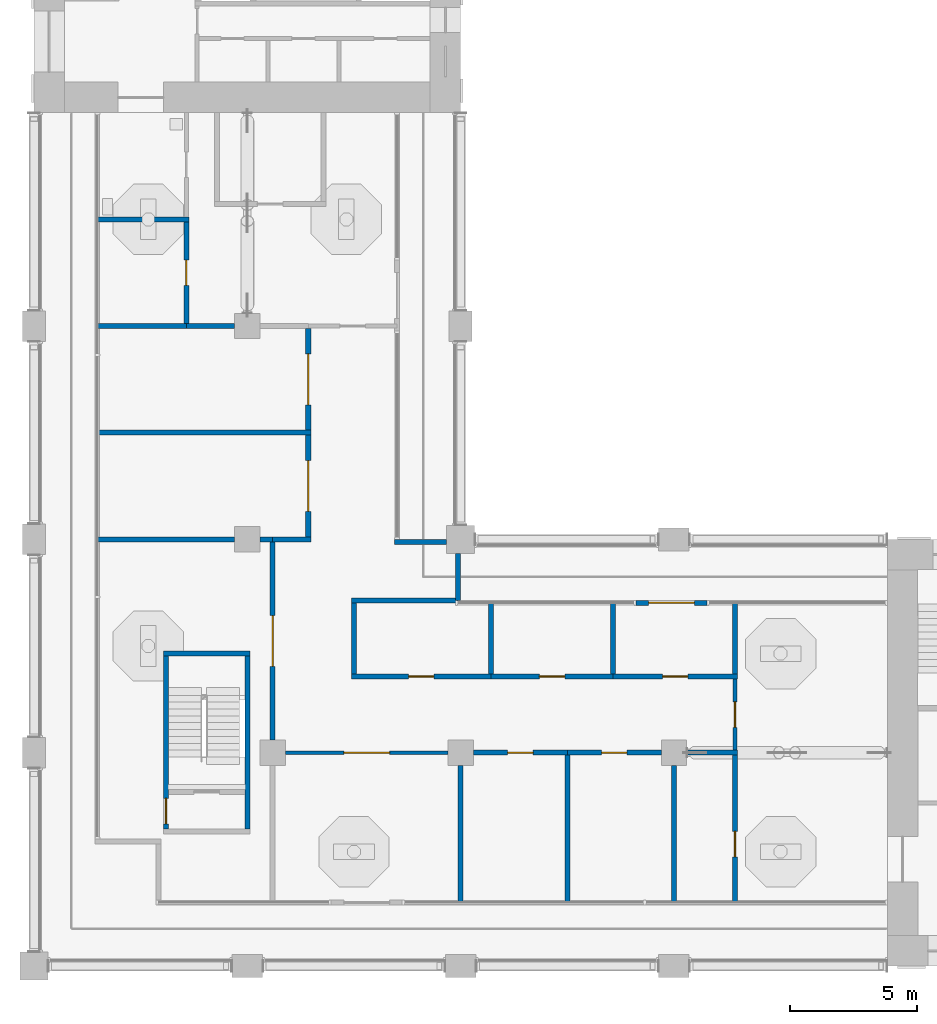
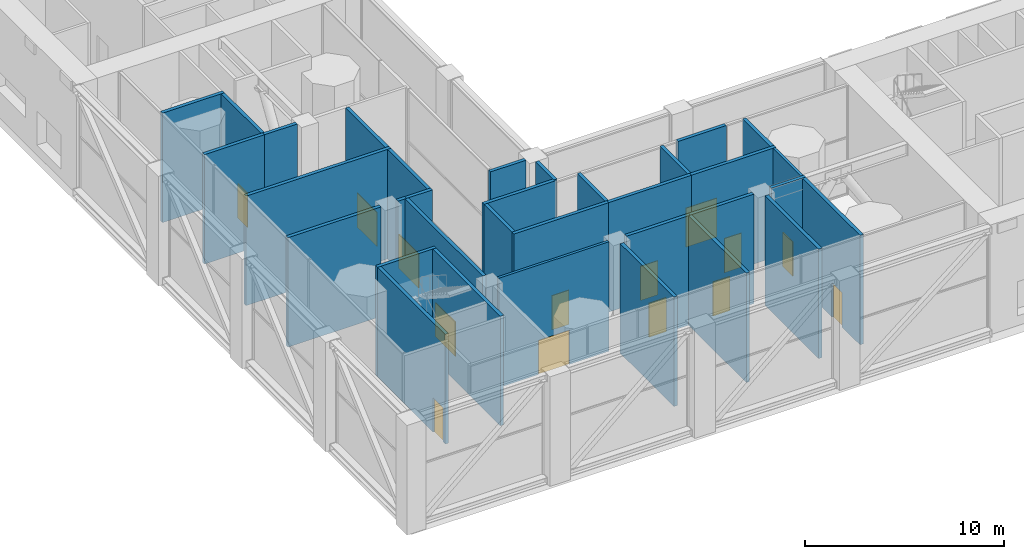
# One storey, part 7 of 20: 34 walls, 14 doors, 14 openings.
"""IFC4 building model written with IfcOpenShell, lengths in metres."""

import ifcopenshell
import ifcopenshell.guid

model = None  # the IFC model being written
_history = None  # IfcOwnerHistory: only IFC2X3 demands one
_inside = {}  # id of a spatial element -> (the spatial element, [elements in it])
_under = {}  # id of a project, library or spatial element -> (it, [spatial elements below it])
_declared = {}  # id of a project -> (the project, [libraries it declares])
_typed = {}  # id of a type object -> (the type object, [elements of that type])
_made_of = {}  # id of a material, layer set ... -> (it, [elements and type objects made of it])


def new_model(schema):
    """Start an empty IFC model of exactly this schema.

    Asked for "IFC4X3", IfcOpenShell would pick the latest addendum, in which some entities
    have other attributes; the version numbers below select the first issue.
    IFC2X3 requires an IfcOwnerHistory on every rooted entity: one is made here for all.
    """
    global model, _history
    if schema == "IFC4X3":
        model = ifcopenshell.file(schema_version=(4, 3, 0, 0))
    else:
        model = ifcopenshell.file(schema=schema)
    _inside.clear()
    _under.clear()
    _declared.clear()
    _typed.clear()
    _made_of.clear()
    _history = None
    if model.schema == "IFC2X3":
        org = make("IfcOrganization", Name="unknown")
        user = make(
            "IfcPersonAndOrganization",
            ThePerson=make("IfcPerson", FamilyName="unknown"),
            TheOrganization=org,
        )
        app = make(
            "IfcApplication",
            ApplicationDeveloper=org,
            Version="unknown",
            ApplicationFullName="unknown",
            ApplicationIdentifier="unknown",
        )
        _history = make(
            "IfcOwnerHistory",
            OwningUser=user,
            OwningApplication=app,
            ChangeAction="ADDED",
            CreationDate=0,
        )
    return model


def make(cls, **values):
    """One entity of the class cls with the attributes given. An attribute that is None is left unset."""
    return model.create_entity(
        cls, **{name: value for name, value in values.items() if value is not None}
    )


def rooted(cls, **values):
    """An entity with a GlobalId (a new one), such as an element, a storey or a relation."""
    return make(cls, GlobalId=ifcopenshell.guid.new(), OwnerHistory=_history, **values)


def si_unit(unit_type, name, prefix=None):
    """IfcSIUnit, for example si_unit("LENGTHUNIT", "METRE", prefix="MILLI")."""
    return make("IfcSIUnit", UnitType=unit_type, Prefix=prefix, Name=name)


def assignment(units):
    """IfcUnitAssignment: the units of a project."""
    return None if units is None else make("IfcUnitAssignment", Units=units)


def point(xyz):
    """IfcCartesianPoint."""
    return None if xyz is None else make("IfcCartesianPoint", Coordinates=xyz)


def direction(xyz):
    """IfcDirection."""
    return None if xyz is None else make("IfcDirection", DirectionRatios=xyz)


def frame(location, z_axis=None, x_axis=None):
    """IfcAxis2Placement3D, a coordinate frame: its origin and axes. An axis left out is left unset."""
    return make(
        "IfcAxis2Placement3D",
        Location=point(location),
        Axis=direction(z_axis),
        RefDirection=direction(x_axis),
    )


def frame_2d(location, x_axis=None):
    """IfcAxis2Placement2D, a coordinate frame in the plane: its origin and x axis."""
    return make(
        "IfcAxis2Placement2D", Location=point(location), RefDirection=direction(x_axis)
    )


def origin():
    """The frame at (0, 0, 0) with its axes left unset."""
    return frame((0.0, 0.0, 0.0))


def place(relative_to, where):
    """IfcLocalPlacement: puts the frame where relative to a parent placement (None: the world)."""
    return make(
        "IfcLocalPlacement", PlacementRelTo=relative_to, RelativePlacement=where
    )


def context(
    kind, dimensions, precision=None, world=None, true_north=None, identifier=None
):
    """IfcGeometricRepresentationContext, for example the 3D "Model" context."""
    return make(
        "IfcGeometricRepresentationContext",
        ContextIdentifier=identifier,
        ContextType=kind,
        CoordinateSpaceDimension=dimensions,
        Precision=precision,
        WorldCoordinateSystem=world,
        TrueNorth=true_north,
    )


def subcontext(parent, identifier, kind, view, scale=None):
    """IfcGeometricRepresentationSubContext, for example "Body" below "Model"."""
    return make(
        "IfcGeometricRepresentationSubContext",
        ContextIdentifier=identifier,
        ContextType=kind,
        ParentContext=parent,
        TargetScale=scale,
        TargetView=view,
    )


def project(units=None, contexts=None):
    """IfcProject with its units and contexts."""
    return rooted(
        "IfcProject",
        Name="project",
        RepresentationContexts=contexts,
        UnitsInContext=assignment(units),
    )


def spatial(cls, under=None, at=None, **own):
    """A site, building, storey or space (cls), placed at a placement, below another one or the project."""
    s = rooted(cls, ObjectPlacement=at, **own)
    if under is not None:
        _under.setdefault(under.id(), (under, []))[1].append(s)
    return s


def profile(cls, at=None, kind="AREA", **sizes):
    """A parametric profile (cls). Its sizes go by their IFC names, for example OverallWidth=200.0."""
    return make(cls, ProfileType=kind, Position=at, **sizes)


def rectangle(**sizes):
    """IfcRectangleProfileDef."""
    return profile("IfcRectangleProfileDef", **sizes)


def extrude(swept, where, along, depth):
    """IfcExtrudedAreaSolid: the profile swept, set in the frame where, extruded along a direction by depth."""
    return make(
        "IfcExtrudedAreaSolid",
        SweptArea=swept,
        Position=where,
        ExtrudedDirection=direction(along),
        Depth=depth,
    )


def shape(context_of_items, identifier, shape_type, items):
    """IfcShapeRepresentation: the items that make up one representation, for example the "Body"."""
    return make(
        "IfcShapeRepresentation",
        ContextOfItems=context_of_items,
        RepresentationIdentifier=identifier,
        RepresentationType=shape_type,
        Items=items,
    )


def material(Name=None, Category=None):
    """IfcMaterial."""
    return make("IfcMaterial", Name=Name, Category=Category)


def layer(
    of_material, thickness, ventilated=None, Name=None, Category=None, Priority=None
):
    """IfcMaterialLayer: one layer of a wall or slab, of a material (None: an air gap)."""
    return make(
        "IfcMaterialLayer",
        Material=of_material,
        LayerThickness=thickness,
        IsVentilated=ventilated,
        Name=Name,
        Category=Category,
        Priority=Priority,
    )


def layer_set(layers, Name=None):
    """IfcMaterialLayerSet."""
    return make("IfcMaterialLayerSet", MaterialLayers=layers, LayerSetName=Name)


def made_of(thing, what):
    """Note that an element or type object is made of a material, layer set ...; save() writes the relation."""
    if what is not None:
        _made_of.setdefault(what.id(), (what, []))[1].append(thing)
    return thing


def type_object(cls, material=None, **own):
    """A type object (cls), such as IfcWallType, which elements share."""
    return made_of(rooted(cls, **own), material)


def element(
    cls,
    number,
    at=None,
    inside=None,
    cuts=None,
    type_object=None,
    material=None,
    context=None,
    identifier="Body",
    shape_type=None,
    held_by="IfcProductDefinitionShape",
    body=None,
    shapes=None,
    **own,
):
    """One element of the class cls, such as IfcWall. Its Tag is "e" and its number.

    at: its placement. inside: the storey or other place that contains it. cuts: it is an
    opening in that element (IfcRelVoidsElement). A single representation is given by context,
    identifier, shape_type and body (its items); several are given by shapes. held_by: the class
    of the entity that holds the representations. save() writes the other relations.
    """
    e = rooted(cls, Tag="e%d" % number, ObjectPlacement=at, **own)
    if body is not None:
        shapes = [shape(context, identifier, shape_type, body)]
    if shapes is not None:
        e.Representation = make(held_by, Representations=shapes)
    if inside is not None:
        _inside.setdefault(inside.id(), (inside, []))[1].append(e)
    if cuts is not None:
        rooted(
            "IfcRelVoidsElement", RelatingBuildingElement=cuts, RelatedOpeningElement=e
        )
    if type_object is not None:
        _typed.setdefault(type_object.id(), (type_object, []))[1].append(e)
    return made_of(e, material)


def fill(opening, filler):
    """IfcRelFillsElement: the door or window that sits in an opening."""
    return rooted(
        "IfcRelFillsElement",
        RelatingOpeningElement=opening,
        RelatedBuildingElement=filler,
    )


def aggregate(whole, parts):
    """IfcRelAggregates: a whole, such as a stair, and the parts it consists of."""
    return rooted("IfcRelAggregates", RelatingObject=whole, RelatedObjects=parts)


def save(model, path):
    """Write the relations noted so far, then the file.

    IfcRelAggregates (storeys below a building ...), IfcRelContainedInSpatialStructure (elements
    in a storey), IfcRelDefinesByType, IfcRelAssociatesMaterial and IfcRelDeclares: one each for
    every whole, place, type object, material and project.
    """
    for whole, parts in _under.values():
        aggregate(whole, parts)
    for where, things in _inside.values():
        rooted(
            "IfcRelContainedInSpatialStructure",
            RelatedElements=things,
            RelatingStructure=where,
        )
    for kind, things in _typed.values():
        rooted("IfcRelDefinesByType", RelatedObjects=things, RelatingType=kind)
    for what, things in _made_of.values():
        rooted("IfcRelAssociatesMaterial", RelatedObjects=things, RelatingMaterial=what)
    for by, libraries in _declared.values():
        rooted("IfcRelDeclares", RelatingContext=by, RelatedDefinitions=libraries)
    model.write(path)


model = new_model("IFC4")

# Units and contexts
model_context = context("Model", 3, precision=1e-05, world=origin(), true_north=direction((0.0, 1.0)))
body_context = subcontext(model_context, "Body", "Model", "MODEL_VIEW")
ifc_project = project(units=[si_unit("LENGTHUNIT", "METRE"), si_unit("AREAUNIT", "SQUARE_METRE"), si_unit("VOLUMEUNIT", "CUBIC_METRE"), si_unit("PLANEANGLEUNIT", "RADIAN"), si_unit("MASSUNIT", "GRAM", prefix="KILO")], contexts=[model_context])

# Site, building, storey
site_placement = place(None, origin())
site = spatial("IfcSite", under=ifc_project, at=site_placement, CompositionType="ELEMENT")
building_placement = place(site_placement, origin())
building = spatial("IfcBuilding", under=site, at=building_placement, Name="Vermilion Gate Residences", CompositionType="ELEMENT")
storey_placement = place(building_placement, frame((0.0, 0.0, 207.199951171875)))
storey = spatial("IfcBuildingStorey", under=building, at=storey_placement, Name="L54", CompositionType="ELEMENT", Elevation=207.199951171875)

# Wall, opening, door
ifc_material_1 = material(Name="Insulated steel stud wall with terracotta rainscreen", Category="masonry")
ifc_layer_1 = layer(ifc_material_1, 0.199951171875)
ifc_layer_set_1 = layer_set([ifc_layer_1], Name="EXTERNAL WALL 200 TERRACOTTA RAINSCREEN")
wall_type_1 = type_object("IfcWallType", Name="EXTERNAL WALL 200 TERRACOTTA RAINSCREEN", PredefinedType="SOLIDWALL", material=ifc_layer_set_1)
wall_1_placement = place(storey_placement, frame((34.89990234375, 22.699951171875, 0.0), z_axis=(0.0, 0.0, 1.0), x_axis=(-1.0, 0.0, 0.0)))
wall_1 = element("IfcWall", 1, at=wall_1_placement, inside=storey, type_object=wall_type_1, Name="External wall", PredefinedType="SOLIDWALL", context=body_context, shape_type="SweptSolid", body=[
    extrude(rectangle(XDim=2.7998046875, YDim=0.199951171875, at=frame_2d((1.39990234375, 0.0))), origin(), (0.0, 0.0, 1.0), 6.719970703125),
])
opening_1_placement = place(wall_1_placement, frame((0.5, 0.0, 0.0)))
opening_1 = element("IfcOpeningElement", 2, at=opening_1_placement, cuts=wall_1, Name="Opening DE54002", PredefinedType="OPENING", context=body_context, shape_type="SweptSolid", body=[
    extrude(rectangle(XDim=1.800048828125, YDim=2.39990234375, at=frame_2d((0.89990234375, 1.199951171875))), frame((0.0, 0.10986328125, 0.0), z_axis=(0.0, -1.0, 0.0), x_axis=(1.0, 0.0, 0.0)), (0.0, 0.0, 1.0), 0.219970703125),
])
ifc_material_2 = material(Name="Aluminium and clear glass", Category="aluminium")
door_type_1 = type_object("IfcDoorType", Name="GLAZED EXTERNAL DOOR 1800 X 2400", OperationType="DOUBLE_DOOR_SINGLE_SWING", PredefinedType="DOOR", material=ifc_material_2)
door_1_placement = place(opening_1_placement, frame((1.800048828125, 0.0, 0.0), z_axis=(0.0, 0.0, 1.0), x_axis=(-1.0, 0.0, 0.0)))
door_1 = element("IfcDoor", 3, at=door_1_placement, inside=storey, type_object=door_type_1, Name="Terrace door", OperationType="DOUBLE_DOOR_SINGLE_SWING", OverallHeight=2.39990234375, OverallWidth=1.800048828125, PredefinedType="DOOR", context=body_context, shape_type="SweptSolid", body=[
    extrude(rectangle(XDim=1.800048828125, YDim=2.39990234375, at=frame_2d((0.89990234375, 1.199951171875))), frame((0.0, 0.02490234375, 0.0), z_axis=(0.0, -1.0, 0.0), x_axis=(1.0, 0.0, 0.0)), (0.0, 0.0, 1.0), 0.050048828125),
])
fill(opening_1, door_1)

# Walls
wall_2_placement = place(storey_placement, frame((25.10009765625, 22.800048828125, 0.0), z_axis=(0.0, 0.0, 1.0), x_axis=(0.0, 1.0, 0.0)))
element("IfcWall", 4, at=wall_2_placement, inside=storey, type_object=wall_type_1, Name="External wall", PredefinedType="SOLIDWALL", context=body_context, shape_type="SweptSolid", body=[
    extrude(rectangle(XDim=1.849853515625, YDim=0.199951171875, at=frame_2d((0.9248046875, 0.0))), origin(), (0.0, 0.0, 1.0), 6.719970703125),
])
wall_3_placement = place(storey_placement, frame((24.64990234375, 25.10009765625, 0.0), z_axis=(0.0, 0.0, 1.0), x_axis=(-1.0, 0.0, 0.0)))
element("IfcWall", 5, at=wall_3_placement, inside=storey, type_object=wall_type_1, Name="External wall", PredefinedType="SOLIDWALL", context=body_context, shape_type="SweptSolid", body=[
    extrude(rectangle(XDim=2.0498046875, YDim=0.199951171875, at=frame_2d((1.02490234375, 0.0))), origin(), (0.0, 0.0, 1.0), 6.719970703125),
])
ifc_material_3 = material(Name="Concrete blockwork", Category="masonry")
ifc_layer_2 = layer(ifc_material_3, 0.199951171875)
ifc_layer_set_2 = layer_set([ifc_layer_2], Name="FIRE WALL 200 EI 120 (AMENITY)")
wall_type_2 = type_object("IfcWallType", Name="FIRE WALL 200 EI 120 (AMENITY)", PredefinedType="PARTITIONING", material=ifc_layer_set_2)
wall_4_placement = place(storey_placement, frame((10.89990234375, 25.199951171875, 0.0), z_axis=(0.0, 0.0, 1.0), x_axis=(1.0, 0.0, 0.0)))
element("IfcWall", 6, at=wall_4_placement, inside=storey, type_object=wall_type_2, Name="Fire-resisting wall 1", PredefinedType="PARTITIONING", context=body_context, shape_type="SweptSolid", body=[
    extrude(rectangle(XDim=5.400146484375, YDim=0.199951171875, at=frame_2d((2.7001953125, 0.0))), origin(), (0.0, 0.0, 1.0), 6.719970703125),
])
wall_5_placement = place(storey_placement, frame((17.300048828125, 25.199951171875, 0.0), z_axis=(0.0, 0.0, 1.0), x_axis=(1.0, 0.0, 0.0)))
element("IfcWall", 7, at=wall_5_placement, inside=storey, type_object=wall_type_2, Name="Fire-resisting wall 2", PredefinedType="PARTITIONING", context=body_context, shape_type="SweptSolid", body=[
    extrude(rectangle(XDim=0.5, YDim=0.199951171875, at=frame_2d((0.25, 0.0))), origin(), (0.0, 0.0, 1.0), 6.719970703125),
])
wall_6_placement = place(storey_placement, frame((10.89990234375, 29.39990234375, 0.0), z_axis=(0.0, 0.0, 1.0), x_axis=(1.0, 0.0, 0.0)))
element("IfcWall", 8, at=wall_6_placement, inside=storey, type_object=wall_type_2, Name="Fire-resisting wall 3", PredefinedType="PARTITIONING", context=body_context, shape_type="SweptSolid", body=[
    extrude(rectangle(XDim=8.400146484375, YDim=0.199951171875, at=frame_2d((4.2001953125, 0.0))), origin(), (0.0, 0.0, 1.0), 6.719970703125),
])
wall_7_placement = place(storey_placement, frame((10.89990234375, 33.60009765625, 0.0), z_axis=(0.0, 0.0, 1.0), x_axis=(1.0, 0.0, 0.0)))
element("IfcWall", 9, at=wall_7_placement, inside=storey, type_object=wall_type_2, Name="Fire-resisting wall 4", PredefinedType="PARTITIONING", context=body_context, shape_type="SweptSolid", body=[
    extrude(rectangle(XDim=3.5, YDim=0.199951171875, at=frame_2d((1.75, 0.0))), origin(), (0.0, 0.0, 1.0), 6.719970703125),
])
wall_8_placement = place(storey_placement, frame((10.89990234375, 37.800048828125, 0.0), z_axis=(0.0, 0.0, 1.0), x_axis=(1.0, 0.0, 0.0)))
element("IfcWall", 10, at=wall_8_placement, inside=storey, type_object=wall_type_2, Name="Fire-resisting wall 5", PredefinedType="PARTITIONING", context=body_context, shape_type="SweptSolid", body=[
    extrude(rectangle(XDim=3.60009765625, YDim=0.199951171875, at=frame_2d((1.800048828125, 0.0))), origin(), (0.0, 0.0, 1.0), 6.719970703125),
])

# Wall, opening, door
wall_9_placement = place(storey_placement, frame((14.39990234375, 33.699951171875, 0.0), z_axis=(0.0, 0.0, 1.0), x_axis=(0.0, 1.0, 0.0)))
wall_9 = element("IfcWall", 11, at=wall_9_placement, inside=storey, type_object=wall_type_2, Name="Fire-resisting wall 6", PredefinedType="PARTITIONING", context=body_context, shape_type="SweptSolid", body=[
    extrude(rectangle(XDim=4.0, YDim=0.199951171875, at=frame_2d((2.0, 0.0))), origin(), (0.0, 0.0, 1.0), 6.719970703125),
])
opening_2_placement = place(wall_9_placement, frame((1.5, 0.0, 0.0)))
opening_2 = element("IfcOpeningElement", 12, at=opening_2_placement, cuts=wall_9, Name="Opening DM54009", PredefinedType="OPENING", context=body_context, shape_type="SweptSolid", body=[
    extrude(rectangle(XDim=1.0, YDim=2.10009765625, at=frame_2d((0.5, 1.050048828125))), frame((0.0, 0.10986328125, 0.0), z_axis=(0.0, -1.0, 0.0), x_axis=(1.0, 0.0, 0.0)), (0.0, 0.0, 1.0), 0.219970703125),
])
ifc_material_4 = material(Name="Steel", Category="steel")
door_type_2 = type_object("IfcDoorType", Name="DOOR 1000 X 2100 FD60 (AMENITY)", OperationType="SINGLE_SWING_LEFT", PredefinedType="DOOR", material=ifc_material_4)
door_2_placement = place(opening_2_placement, frame((1.0, 0.0, 0.0), z_axis=(0.0, 0.0, 1.0), x_axis=(-1.0, 0.0, 0.0)))
door_2 = element("IfcDoor", 13, at=door_2_placement, inside=storey, type_object=door_type_2, Name="Door L54 9", OperationType="SINGLE_SWING_RIGHT", OverallHeight=2.10009765625, OverallWidth=1.0, PredefinedType="DOOR", context=body_context, shape_type="SweptSolid", body=[
    extrude(rectangle(XDim=1.0, YDim=2.10009765625, at=frame_2d((0.5, 1.050048828125))), frame((0.0, 0.02490234375, 0.0), z_axis=(0.0, -1.0, 0.0), x_axis=(1.0, 0.0, 0.0)), (0.0, 0.0, 1.0), 0.050048828125),
])
fill(opening_2, door_2)

# Wall
wall_10_placement = place(storey_placement, frame((14.39990234375, 33.60009765625, 0.0), z_axis=(0.0, 0.0, 1.0), x_axis=(1.0, 0.0, 0.0)))
element("IfcWall", 14, at=wall_10_placement, inside=storey, type_object=wall_type_2, Name="Fire-resisting wall 7", PredefinedType="PARTITIONING", context=body_context, shape_type="SweptSolid", body=[
    extrude(rectangle(XDim=1.900146484375, YDim=0.199951171875, at=frame_2d((0.9501953125, 0.0))), origin(), (0.0, 0.0, 1.0), 6.719970703125),
])

# Wall, opening, door
wall_11_placement = place(storey_placement, frame((17.800048828125, 17.300048828125, 0.0), z_axis=(0.0, 0.0, 1.0), x_axis=(0.0, 1.0, 0.0)))
wall_11 = element("IfcWall", 15, at=wall_11_placement, inside=storey, type_object=wall_type_2, Name="Fire-resisting wall 13", PredefinedType="PARTITIONING", context=body_context, shape_type="SweptSolid", body=[
    extrude(rectangle(XDim=7.800048828125, YDim=0.199951171875, at=frame_2d((3.89990234375, 0.0))), origin(), (0.0, 0.0, 1.0), 6.719970703125),
])
opening_3_placement = place(wall_11_placement, frame((2.89990234375, 0.0, 0.0)))
opening_3 = element("IfcOpeningElement", 16, at=opening_3_placement, cuts=wall_11, Name="Opening DM54001", PredefinedType="OPENING", context=body_context, shape_type="SweptSolid", body=[
    extrude(rectangle(XDim=2.0, YDim=2.10009765625, at=frame_2d((1.0, 1.050048828125))), frame((0.0, 0.10986328125, 0.0), z_axis=(0.0, -1.0, 0.0), x_axis=(1.0, 0.0, 0.0)), (0.0, 0.0, 1.0), 0.219970703125),
])
ifc_material_5 = material(Name="Steel", Category="steel")
door_type_3 = type_object("IfcDoorType", Name="DOUBLE DOOR 2000 X 2100 FD60 (AMENITY)", OperationType="DOUBLE_DOOR_SINGLE_SWING", PredefinedType="DOOR", material=ifc_material_5)
door_3_placement = place(opening_3_placement, frame((2.0, 0.0, 0.0), z_axis=(0.0, 0.0, 1.0), x_axis=(-1.0, 0.0, 0.0)))
door_3 = element("IfcDoor", 17, at=door_3_placement, inside=storey, type_object=door_type_3, Name="Door L54 1", OperationType="DOUBLE_DOOR_SINGLE_SWING", OverallHeight=2.10009765625, OverallWidth=2.0, PredefinedType="DOOR", context=body_context, shape_type="SweptSolid", body=[
    extrude(rectangle(XDim=2.0, YDim=2.10009765625, at=frame_2d((1.0, 1.050048828125))), frame((0.0, 0.02490234375, 0.0), z_axis=(0.0, -1.0, 0.0), x_axis=(1.0, 0.0, 0.0)), (0.0, 0.0, 1.0), 0.050048828125),
])
fill(opening_3, door_3)

# Wall
wall_12_placement = place(storey_placement, frame((17.800048828125, 25.199951171875, 0.0), z_axis=(0.0, 0.0, 1.0), x_axis=(1.0, 0.0, 0.0)))
element("IfcWall", 18, at=wall_12_placement, inside=storey, type_object=wall_type_2, Name="Fire-resisting wall 15", PredefinedType="PARTITIONING", context=body_context, shape_type="SweptSolid", body=[
    extrude(rectangle(XDim=1.5, YDim=0.199951171875, at=frame_2d((0.75, 0.0))), origin(), (0.0, 0.0, 1.0), 6.719970703125),
])

# Wall, opening, door
wall_13_placement = place(storey_placement, frame((19.199951171875, 25.300048828125, 0.0), z_axis=(0.0, 0.0, 1.0), x_axis=(0.0, 1.0, 0.0)))
wall_13 = element("IfcWall", 19, at=wall_13_placement, inside=storey, type_object=wall_type_2, Name="Fire-resisting wall 16", PredefinedType="PARTITIONING", context=body_context, shape_type="SweptSolid", body=[
    extrude(rectangle(XDim=4.0, YDim=0.199951171875, at=frame_2d((2.0, 0.0))), origin(), (0.0, 0.0, 1.0), 6.719970703125),
])
opening_4_placement = place(wall_13_placement, frame((1.0, 0.0, 0.0)))
opening_4 = element("IfcOpeningElement", 20, at=opening_4_placement, cuts=wall_13, Name="Opening DM54006", PredefinedType="OPENING", context=body_context, shape_type="SweptSolid", body=[
    extrude(rectangle(XDim=2.0, YDim=2.10009765625, at=frame_2d((1.0, 1.050048828125))), frame((0.0, 0.10986328125, 0.0), z_axis=(0.0, -1.0, 0.0), x_axis=(1.0, 0.0, 0.0)), (0.0, 0.0, 1.0), 0.219970703125),
])
door_4_placement = place(opening_4_placement, origin())
door_4 = element("IfcDoor", 21, at=door_4_placement, inside=storey, type_object=door_type_3, Name="Door L54 6", OperationType="DOUBLE_DOOR_SINGLE_SWING", OverallHeight=2.10009765625, OverallWidth=2.0, PredefinedType="DOOR", context=body_context, shape_type="SweptSolid", body=[
    extrude(rectangle(XDim=2.0, YDim=2.10009765625, at=frame_2d((1.0, 1.050048828125))), frame((0.0, 0.02490234375, 0.0), z_axis=(0.0, -1.0, 0.0), x_axis=(1.0, 0.0, 0.0)), (0.0, 0.0, 1.0), 0.050048828125),
])
fill(opening_4, door_4)

wall_14_placement = place(storey_placement, frame((19.199951171875, 29.5, 0.0), z_axis=(0.0, 0.0, 1.0), x_axis=(0.0, 1.0, 0.0)))
wall_14 = element("IfcWall", 22, at=wall_14_placement, inside=storey, type_object=wall_type_2, Name="Fire-resisting wall 17", PredefinedType="PARTITIONING", context=body_context, shape_type="SweptSolid", body=[
    extrude(rectangle(XDim=4.0, YDim=0.199951171875, at=frame_2d((2.0, 0.0))), origin(), (0.0, 0.0, 1.0), 6.719970703125),
])
opening_5_placement = place(wall_14_placement, frame((1.0, 0.0, 0.0)))
opening_5 = element("IfcOpeningElement", 23, at=opening_5_placement, cuts=wall_14, Name="Opening DM54007", PredefinedType="OPENING", context=body_context, shape_type="SweptSolid", body=[
    extrude(rectangle(XDim=2.0, YDim=2.10009765625, at=frame_2d((1.0, 1.050048828125))), frame((0.0, 0.10986328125, 0.0), z_axis=(0.0, -1.0, 0.0), x_axis=(1.0, 0.0, 0.0)), (0.0, 0.0, 1.0), 0.219970703125),
])
door_5_placement = place(opening_5_placement, origin())
door_5 = element("IfcDoor", 24, at=door_5_placement, inside=storey, type_object=door_type_3, Name="Door L54 7", OperationType="DOUBLE_DOOR_SINGLE_SWING", OverallHeight=2.10009765625, OverallWidth=2.0, PredefinedType="DOOR", context=body_context, shape_type="SweptSolid", body=[
    extrude(rectangle(XDim=2.0, YDim=2.10009765625, at=frame_2d((1.0, 1.050048828125))), frame((0.0, 0.02490234375, 0.0), z_axis=(0.0, -1.0, 0.0), x_axis=(1.0, 0.0, 0.0)), (0.0, 0.0, 1.0), 0.050048828125),
])
fill(opening_5, door_5)

# Wall
wall_15_placement = place(storey_placement, frame((21.0, 19.89990234375, 0.0), z_axis=(0.0, 0.0, 1.0), x_axis=(0.0, 1.0, 0.0)))
element("IfcWall", 25, at=wall_15_placement, inside=storey, type_object=wall_type_2, Name="Fire-resisting wall 20", PredefinedType="PARTITIONING", context=body_context, shape_type="SweptSolid", body=[
    extrude(rectangle(XDim=2.800048828125, YDim=0.199951171875, at=frame_2d((1.39990234375, 0.0))), origin(), (0.0, 0.0, 1.0), 6.719970703125),
])

# Wall, opening, door
wall_16_placement = place(storey_placement, frame((20.89990234375, 19.800048828125, 0.0), z_axis=(0.0, 0.0, 1.0), x_axis=(1.0, 0.0, 0.0)))
wall_16 = element("IfcWall", 26, at=wall_16_placement, inside=storey, type_object=wall_type_2, Name="Fire-resisting wall 21", PredefinedType="PARTITIONING", context=body_context, shape_type="SweptSolid", body=[
    extrude(rectangle(XDim=5.5, YDim=0.199951171875, at=frame_2d((2.75, 0.0))), origin(), (0.0, 0.0, 1.0), 6.719970703125),
])
opening_6_placement = place(wall_16_placement, frame((2.25, 0.0, 0.0)))
opening_6 = element("IfcOpeningElement", 27, at=opening_6_placement, cuts=wall_16, Name="Opening DM54011", PredefinedType="OPENING", context=body_context, shape_type="SweptSolid", body=[
    extrude(rectangle(XDim=1.0, YDim=2.10009765625, at=frame_2d((0.5, 1.050048828125))), frame((0.0, 0.10986328125, 0.0), z_axis=(0.0, -1.0, 0.0), x_axis=(1.0, 0.0, 0.0)), (0.0, 0.0, 1.0), 0.219970703125),
])
door_6_placement = place(opening_6_placement, frame((1.0, 0.0, 0.0), z_axis=(0.0, 0.0, 1.0), x_axis=(-1.0, 0.0, 0.0)))
door_6 = element("IfcDoor", 28, at=door_6_placement, inside=storey, type_object=door_type_2, Name="Door L54 11", OperationType="SINGLE_SWING_RIGHT", OverallHeight=2.10009765625, OverallWidth=1.0, PredefinedType="DOOR", context=body_context, shape_type="SweptSolid", body=[
    extrude(rectangle(XDim=1.0, YDim=2.10009765625, at=frame_2d((0.5, 1.050048828125))), frame((0.0, 0.02490234375, 0.0), z_axis=(0.0, -1.0, 0.0), x_axis=(1.0, 0.0, 0.0)), (0.0, 0.0, 1.0), 0.050048828125),
])
fill(opening_6, door_6)

# Walls
wall_17_placement = place(storey_placement, frame((20.89990234375, 22.800048828125, 0.0), z_axis=(0.0, 0.0, 1.0), x_axis=(1.0, 0.0, 0.0)))
element("IfcWall", 29, at=wall_17_placement, inside=storey, type_object=wall_type_2, Name="Fire-resisting wall 22", PredefinedType="PARTITIONING", context=body_context, shape_type="SweptSolid", body=[
    extrude(rectangle(XDim=4.2001953125, YDim=0.199951171875, at=frame_2d((2.10009765625, 0.0))), origin(), (0.0, 0.0, 1.0), 6.719970703125),
])
wall_18_placement = place(storey_placement, frame((25.199951171875, 10.89990234375, 0.0), z_axis=(0.0, 0.0, 1.0), x_axis=(0.0, 1.0, 0.0)))
element("IfcWall", 30, at=wall_18_placement, inside=storey, type_object=wall_type_2, Name="Fire-resisting wall 23", PredefinedType="PARTITIONING", context=body_context, shape_type="SweptSolid", body=[
    extrude(rectangle(XDim=5.400146484375, YDim=0.199951171875, at=frame_2d((2.7001953125, 0.0))), origin(), (0.0, 0.0, 1.0), 6.719970703125),
])

# Wall, opening, door
wall_19_placement = place(storey_placement, frame((25.699951171875, 16.800048828125, 0.0), z_axis=(0.0, 0.0, 1.0), x_axis=(1.0, 0.0, 0.0)))
wall_19 = element("IfcWall", 31, at=wall_19_placement, inside=storey, type_object=wall_type_2, Name="Fire-resisting wall 24", PredefinedType="PARTITIONING", context=body_context, shape_type="SweptSolid", body=[
    extrude(rectangle(XDim=3.699951171875, YDim=0.199951171875, at=frame_2d((1.85009765625, 0.0))), origin(), (0.0, 0.0, 1.0), 6.719970703125),
])
opening_7_placement = place(wall_19_placement, frame((1.35009765625, 0.0, 0.0)))
opening_7 = element("IfcOpeningElement", 32, at=opening_7_placement, cuts=wall_19, Name="Opening DM54003", PredefinedType="OPENING", context=body_context, shape_type="SweptSolid", body=[
    extrude(rectangle(XDim=1.0, YDim=2.10009765625, at=frame_2d((0.5, 1.050048828125))), frame((0.0, 0.10986328125, 0.0), z_axis=(0.0, -1.0, 0.0), x_axis=(1.0, 0.0, 0.0)), (0.0, 0.0, 1.0), 0.219970703125),
])
door_7_placement = place(opening_7_placement, origin())
door_7 = element("IfcDoor", 33, at=door_7_placement, inside=storey, type_object=door_type_2, Name="Door L54 3", OperationType="SINGLE_SWING_LEFT", OverallHeight=2.10009765625, OverallWidth=1.0, PredefinedType="DOOR", context=body_context, shape_type="SweptSolid", body=[
    extrude(rectangle(XDim=1.0, YDim=2.10009765625, at=frame_2d((0.5, 1.050048828125))), frame((0.0, 0.02490234375, 0.0), z_axis=(0.0, -1.0, 0.0), x_axis=(1.0, 0.0, 0.0)), (0.0, 0.0, 1.0), 0.050048828125),
])
fill(opening_7, door_7)

# Wall
wall_20_placement = place(storey_placement, frame((26.39990234375, 19.89990234375, 0.0), z_axis=(0.0, 0.0, 1.0), x_axis=(0.0, 1.0, 0.0)))
element("IfcWall", 34, at=wall_20_placement, inside=storey, type_object=wall_type_2, Name="Fire-resisting wall 25", PredefinedType="PARTITIONING", context=body_context, shape_type="SweptSolid", body=[
    extrude(rectangle(XDim=2.800048828125, YDim=0.199951171875, at=frame_2d((1.39990234375, 0.0))), origin(), (0.0, 0.0, 1.0), 6.719970703125),
])

# Wall, opening, door
wall_21_placement = place(storey_placement, frame((26.39990234375, 19.800048828125, 0.0), z_axis=(0.0, 0.0, 1.0), x_axis=(1.0, 0.0, 0.0)))
wall_21 = element("IfcWall", 35, at=wall_21_placement, inside=storey, type_object=wall_type_2, Name="Fire-resisting wall 26", PredefinedType="PARTITIONING", context=body_context, shape_type="SweptSolid", body=[
    extrude(rectangle(XDim=4.800048828125, YDim=0.199951171875, at=frame_2d((2.39990234375, 0.0))), origin(), (0.0, 0.0, 1.0), 6.719970703125),
])
opening_8_placement = place(wall_21_placement, frame((1.89990234375, 0.0, 0.0)))
opening_8 = element("IfcOpeningElement", 36, at=opening_8_placement, cuts=wall_21, Name="Opening DM54012", PredefinedType="OPENING", context=body_context, shape_type="SweptSolid", body=[
    extrude(rectangle(XDim=1.0, YDim=2.10009765625, at=frame_2d((0.5, 1.050048828125))), frame((0.0, 0.10986328125, 0.0), z_axis=(0.0, -1.0, 0.0), x_axis=(1.0, 0.0, 0.0)), (0.0, 0.0, 1.0), 0.219970703125),
])
door_8_placement = place(opening_8_placement, origin())
door_8 = element("IfcDoor", 37, at=door_8_placement, inside=storey, type_object=door_type_2, Name="Door L54 12", OperationType="SINGLE_SWING_LEFT", OverallHeight=2.10009765625, OverallWidth=1.0, PredefinedType="DOOR", context=body_context, shape_type="SweptSolid", body=[
    extrude(rectangle(XDim=1.0, YDim=2.10009765625, at=frame_2d((0.5, 1.050048828125))), frame((0.0, 0.02490234375, 0.0), z_axis=(0.0, -1.0, 0.0), x_axis=(1.0, 0.0, 0.0)), (0.0, 0.0, 1.0), 0.050048828125),
])
fill(opening_8, door_8)

# Wall
wall_22_placement = place(storey_placement, frame((29.39990234375, 10.89990234375, 0.0), z_axis=(0.0, 0.0, 1.0), x_axis=(0.0, 1.0, 0.0)))
element("IfcWall", 38, at=wall_22_placement, inside=storey, type_object=wall_type_2, Name="Fire-resisting wall 27", PredefinedType="PARTITIONING", context=body_context, shape_type="SweptSolid", body=[
    extrude(rectangle(XDim=5.800048828125, YDim=0.199951171875, at=frame_2d((2.89990234375, 0.0))), origin(), (0.0, 0.0, 1.0), 6.719970703125),
])

# Wall, opening, door
wall_23_placement = place(storey_placement, frame((29.39990234375, 16.800048828125, 0.0), z_axis=(0.0, 0.0, 1.0), x_axis=(1.0, 0.0, 0.0)))
wall_23 = element("IfcWall", 39, at=wall_23_placement, inside=storey, type_object=wall_type_2, Name="Fire-resisting wall 28", PredefinedType="PARTITIONING", context=body_context, shape_type="SweptSolid", body=[
    extrude(rectangle(XDim=3.7001953125, YDim=0.199951171875, at=frame_2d((1.85009765625, 0.0))), origin(), (0.0, 0.0, 1.0), 6.719970703125),
])
opening_9_placement = place(wall_23_placement, frame((1.35009765625, 0.0, 0.0)))
opening_9 = element("IfcOpeningElement", 40, at=opening_9_placement, cuts=wall_23, Name="Opening DM54004", PredefinedType="OPENING", context=body_context, shape_type="SweptSolid", body=[
    extrude(rectangle(XDim=1.0, YDim=2.10009765625, at=frame_2d((0.5, 1.050048828125))), frame((0.0, 0.10986328125, 0.0), z_axis=(0.0, -1.0, 0.0), x_axis=(1.0, 0.0, 0.0)), (0.0, 0.0, 1.0), 0.219970703125),
])
door_9_placement = place(opening_9_placement, origin())
door_9 = element("IfcDoor", 41, at=door_9_placement, inside=storey, type_object=door_type_2, Name="Door L54 4", OperationType="SINGLE_SWING_RIGHT", OverallHeight=2.10009765625, OverallWidth=1.0, PredefinedType="DOOR", context=body_context, shape_type="SweptSolid", body=[
    extrude(rectangle(XDim=1.0, YDim=2.10009765625, at=frame_2d((0.5, 1.050048828125))), frame((0.0, 0.02490234375, 0.0), z_axis=(0.0, -1.0, 0.0), x_axis=(1.0, 0.0, 0.0)), (0.0, 0.0, 1.0), 0.050048828125),
])
fill(opening_9, door_9)

# Wall
wall_24_placement = place(storey_placement, frame((31.199951171875, 19.89990234375, 0.0), z_axis=(0.0, 0.0, 1.0), x_axis=(0.0, 1.0, 0.0)))
element("IfcWall", 42, at=wall_24_placement, inside=storey, type_object=wall_type_2, Name="Fire-resisting wall 29", PredefinedType="PARTITIONING", context=body_context, shape_type="SweptSolid", body=[
    extrude(rectangle(XDim=2.800048828125, YDim=0.199951171875, at=frame_2d((1.39990234375, 0.0))), origin(), (0.0, 0.0, 1.0), 6.719970703125),
])

# Wall, opening, door
wall_25_placement = place(storey_placement, frame((31.199951171875, 19.800048828125, 0.0), z_axis=(0.0, 0.0, 1.0), x_axis=(1.0, 0.0, 0.0)))
wall_25 = element("IfcWall", 43, at=wall_25_placement, inside=storey, type_object=wall_type_2, Name="Fire-resisting wall 30", PredefinedType="PARTITIONING", context=body_context, shape_type="SweptSolid", body=[
    extrude(rectangle(XDim=4.900146484375, YDim=0.199951171875, at=frame_2d((2.4501953125, 0.0))), origin(), (0.0, 0.0, 1.0), 6.719970703125),
])
opening_10_placement = place(wall_25_placement, frame((1.949951171875, 0.0, 0.0)))
opening_10 = element("IfcOpeningElement", 44, at=opening_10_placement, cuts=wall_25, Name="Opening DM54013", PredefinedType="OPENING", context=body_context, shape_type="SweptSolid", body=[
    extrude(rectangle(XDim=1.0, YDim=2.10009765625, at=frame_2d((0.5, 1.050048828125))), frame((0.0, 0.10986328125, 0.0), z_axis=(0.0, -1.0, 0.0), x_axis=(1.0, 0.0, 0.0)), (0.0, 0.0, 1.0), 0.219970703125),
])
door_10_placement = place(opening_10_placement, frame((1.0, 0.0, 0.0), z_axis=(0.0, 0.0, 1.0), x_axis=(-1.0, 0.0, 0.0)))
door_10 = element("IfcDoor", 45, at=door_10_placement, inside=storey, type_object=door_type_2, Name="Door L54 13", OperationType="SINGLE_SWING_LEFT", OverallHeight=2.10009765625, OverallWidth=1.0, PredefinedType="DOOR", context=body_context, shape_type="SweptSolid", body=[
    extrude(rectangle(XDim=1.0, YDim=2.10009765625, at=frame_2d((0.5, 1.050048828125))), frame((0.0, 0.02490234375, 0.0), z_axis=(0.0, -1.0, 0.0), x_axis=(1.0, 0.0, 0.0)), (0.0, 0.0, 1.0), 0.050048828125),
])
fill(opening_10, door_10)

# Walls
wall_26_placement = place(storey_placement, frame((33.60009765625, 10.89990234375, 0.0), z_axis=(0.0, 0.0, 1.0), x_axis=(0.0, 1.0, 0.0)))
element("IfcWall", 46, at=wall_26_placement, inside=storey, type_object=wall_type_2, Name="Fire-resisting wall 31", PredefinedType="PARTITIONING", context=body_context, shape_type="SweptSolid", body=[
    extrude(rectangle(XDim=5.400146484375, YDim=0.199951171875, at=frame_2d((2.7001953125, 0.0))), origin(), (0.0, 0.0, 1.0), 6.719970703125),
])
wall_27_placement = place(storey_placement, frame((34.10009765625, 16.800048828125, 0.0), z_axis=(0.0, 0.0, 1.0), x_axis=(1.0, 0.0, 0.0)))
element("IfcWall", 47, at=wall_27_placement, inside=storey, type_object=wall_type_2, Name="Fire-resisting wall 32", PredefinedType="PARTITIONING", context=body_context, shape_type="SweptSolid", body=[
    extrude(rectangle(XDim=2.0, YDim=0.199951171875, at=frame_2d((1.0, 0.0))), origin(), (0.0, 0.0, 1.0), 6.719970703125),
])

# Wall, opening, door
wall_28_placement = place(storey_placement, frame((36.0, 10.89990234375, 0.0), z_axis=(0.0, 0.0, 1.0), x_axis=(0.0, 1.0, 0.0)))
wall_28 = element("IfcWall", 48, at=wall_28_placement, inside=storey, type_object=wall_type_2, Name="Fire-resisting wall 33", PredefinedType="PARTITIONING", context=body_context, shape_type="SweptSolid", body=[
    extrude(rectangle(XDim=5.800048828125, YDim=0.199951171875, at=frame_2d((2.89990234375, 0.0))), origin(), (0.0, 0.0, 1.0), 6.719970703125),
])
opening_11_placement = place(wall_28_placement, frame((1.800048828125, 0.0, 0.0)))
opening_11 = element("IfcOpeningElement", 49, at=opening_11_placement, cuts=wall_28, Name="Opening DM54005", PredefinedType="OPENING", context=body_context, shape_type="SweptSolid", body=[
    extrude(rectangle(XDim=1.0, YDim=2.10009765625, at=frame_2d((0.5, 1.050048828125))), frame((0.0, 0.10986328125, 0.0), z_axis=(0.0, -1.0, 0.0), x_axis=(1.0, 0.0, 0.0)), (0.0, 0.0, 1.0), 0.219970703125),
])
door_11_placement = place(opening_11_placement, frame((1.0, 0.0, 0.0), z_axis=(0.0, 0.0, 1.0), x_axis=(-1.0, 0.0, 0.0)))
door_11 = element("IfcDoor", 50, at=door_11_placement, inside=storey, type_object=door_type_2, Name="Door L54 5", OperationType="SINGLE_SWING_LEFT", OverallHeight=2.10009765625, OverallWidth=1.0, PredefinedType="DOOR", context=body_context, shape_type="SweptSolid", body=[
    extrude(rectangle(XDim=1.0, YDim=2.10009765625, at=frame_2d((0.5, 1.050048828125))), frame((0.0, 0.02490234375, 0.0), z_axis=(0.0, -1.0, 0.0), x_axis=(1.0, 0.0, 0.0)), (0.0, 0.0, 1.0), 0.050048828125),
])
fill(opening_11, door_11)

# Wall
wall_29_placement = place(storey_placement, frame((36.0, 19.89990234375, 0.0), z_axis=(0.0, 0.0, 1.0), x_axis=(0.0, 1.0, 0.0)))
element("IfcWall", 51, at=wall_29_placement, inside=storey, type_object=wall_type_2, Name="Fire-resisting wall 35", PredefinedType="PARTITIONING", context=body_context, shape_type="SweptSolid", body=[
    extrude(rectangle(XDim=2.800048828125, YDim=0.199951171875, at=frame_2d((1.39990234375, 0.0))), origin(), (0.0, 0.0, 1.0), 6.719970703125),
])

# Wall, opening, door
ifc_material_6 = material(Name="Gypsum board on steel studs", Category="steel")
ifc_layer_3 = layer(ifc_material_6, 0.14990234375)
ifc_layer_set_3 = layer_set([ifc_layer_3], Name="PARTITION 150 EI 60 (AMENITY)")
wall_type_3 = type_object("IfcWallType", Name="PARTITION 150 EI 60 (AMENITY)", PredefinedType="PARTITIONING", material=ifc_layer_set_3)
wall_30_placement = place(storey_placement, frame((18.300048828125, 16.800048828125, 0.0), z_axis=(0.0, 0.0, 1.0), x_axis=(1.0, 0.0, 0.0)))
wall_30 = element("IfcWall", 52, at=wall_30_placement, inside=storey, type_object=wall_type_3, Name="Partition 14", PredefinedType="PARTITIONING", context=body_context, shape_type="SweptSolid", body=[
    extrude(rectangle(XDim=6.39990234375, YDim=0.14990234375, at=frame_2d((3.199951171875, 0.0))), origin(), (0.0, 0.0, 1.0), 6.719970703125),
])
opening_12_placement = place(wall_30_placement, frame((2.300048828125, 0.0, 0.0)))
opening_12 = element("IfcOpeningElement", 53, at=opening_12_placement, cuts=wall_30, Name="Opening DM54002", PredefinedType="OPENING", context=body_context, shape_type="SweptSolid", body=[
    extrude(rectangle(XDim=1.800048828125, YDim=2.10009765625, at=frame_2d((0.89990234375, 1.050048828125))), frame((0.0, 0.0849609375, 0.0), z_axis=(0.0, -1.0, 0.0), x_axis=(1.0, 0.0, 0.0)), (0.0, 0.0, 1.0), 0.169921875),
])
ifc_material_7 = material(Name="Steel", Category="steel")
door_type_4 = type_object("IfcDoorType", Name="DOUBLE DOOR 1800 X 2100 FD30 (AMENITY)", OperationType="DOUBLE_DOOR_SINGLE_SWING", PredefinedType="DOOR", material=ifc_material_7)
door_12_placement = place(opening_12_placement, frame((1.800048828125, 0.0, 0.0), z_axis=(0.0, 0.0, 1.0), x_axis=(-1.0, 0.0, 0.0)))
door_12 = element("IfcDoor", 54, at=door_12_placement, inside=storey, type_object=door_type_4, Name="Door L54 2", OperationType="DOUBLE_DOOR_SINGLE_SWING", OverallHeight=2.10009765625, OverallWidth=1.800048828125, PredefinedType="DOOR", context=body_context, shape_type="SweptSolid", body=[
    extrude(rectangle(XDim=1.800048828125, YDim=2.10009765625, at=frame_2d((0.89990234375, 1.050048828125))), frame((0.0, 0.02490234375, 0.0), z_axis=(0.0, -1.0, 0.0), x_axis=(1.0, 0.0, 0.0)), (0.0, 0.0, 1.0), 0.050048828125),
])
fill(opening_12, door_12)

wall_31_placement = place(storey_placement, frame((36.0, 16.89990234375, 0.0), z_axis=(0.0, 0.0, 1.0), x_axis=(0.0, 1.0, 0.0)))
wall_31 = element("IfcWall", 55, at=wall_31_placement, inside=storey, type_object=wall_type_3, Name="Partition 34", PredefinedType="PARTITIONING", context=body_context, shape_type="SweptSolid", body=[
    extrude(rectangle(XDim=2.800048828125, YDim=0.14990234375, at=frame_2d((1.39990234375, 0.0))), origin(), (0.0, 0.0, 1.0), 6.719970703125),
])
opening_13_placement = place(wall_31_placement, frame((0.89990234375, 0.0, 0.0)))
opening_13 = element("IfcOpeningElement", 56, at=opening_13_placement, cuts=wall_31, Name="Opening DM54015", PredefinedType="OPENING", context=body_context, shape_type="SweptSolid", body=[
    extrude(rectangle(XDim=1.0, YDim=2.10009765625, at=frame_2d((0.5, 1.050048828125))), frame((0.0, 0.0849609375, 0.0), z_axis=(0.0, -1.0, 0.0), x_axis=(1.0, 0.0, 0.0)), (0.0, 0.0, 1.0), 0.169921875),
])
ifc_material_8 = material(Name="Steel", Category="steel")
door_type_5 = type_object("IfcDoorType", Name="DOOR 1000 X 2100 FD30 (AMENITY)", OperationType="SINGLE_SWING_LEFT", PredefinedType="DOOR", material=ifc_material_8)
door_13_placement = place(opening_13_placement, frame((1.0, 0.0, 0.0), z_axis=(0.0, 0.0, 1.0), x_axis=(-1.0, 0.0, 0.0)))
door_13 = element("IfcDoor", 57, at=door_13_placement, inside=storey, type_object=door_type_5, Name="Door L54 15", OperationType="SINGLE_SWING_RIGHT", OverallHeight=2.10009765625, OverallWidth=1.0, PredefinedType="DOOR", context=body_context, shape_type="SweptSolid", body=[
    extrude(rectangle(XDim=1.0, YDim=2.10009765625, at=frame_2d((0.5, 1.050048828125))), frame((0.0, 0.02490234375, 0.0), z_axis=(0.0, -1.0, 0.0), x_axis=(1.0, 0.0, 0.0)), (0.0, 0.0, 1.0), 0.050048828125),
])
fill(opening_13, door_13)

ifc_material_9 = material(Name="Concrete C60", Category="concrete")
ifc_layer_4 = layer(ifc_material_9, 0.199951171875)
ifc_layer_set_4 = layer_set([ifc_layer_4], Name="RC CORE INTERNAL WALL 200 C60")
wall_type_4 = type_object("IfcWallType", Name="RC CORE INTERNAL WALL 200 C60", PredefinedType="SHEAR", material=ifc_layer_set_4)
wall_32_placement = place(storey_placement, frame((13.60009765625, 13.800048828125, 0.0), z_axis=(0.0, 0.0, 1.0), x_axis=(0.0, 1.0, 0.0)))
wall_32 = element("IfcWall", 58, at=wall_32_placement, inside=storey, type_object=wall_type_4, Name="Core internal wall C54-W", PredefinedType="SHEAR", context=body_context, shape_type="SweptSolid", body=[
    extrude(rectangle(XDim=6.800048828125, YDim=0.199951171875, at=frame_2d((3.39990234375, 0.0))), origin(), (0.0, 0.0, 1.0), 6.719970703125),
])
opening_14_placement = place(wall_32_placement, frame((0.199951171875, 0.0, 0.0)))
opening_14 = element("IfcOpeningElement", 59, at=opening_14_placement, cuts=wall_32, Name="Opening DK54201", PredefinedType="OPENING", context=body_context, shape_type="SweptSolid", body=[
    extrude(rectangle(XDim=1.0, YDim=2.10009765625, at=frame_2d((0.5, 1.050048828125))), frame((0.0, 0.10986328125, 0.0), z_axis=(0.0, -1.0, 0.0), x_axis=(1.0, 0.0, 0.0)), (0.0, 0.0, 1.0), 0.219970703125),
])
ifc_material_10 = material(Name="Steel", Category="steel")
door_type_6 = type_object("IfcDoorType", Name="FIRE DOOR FD60 1000 X 2100", OperationType="SINGLE_SWING_LEFT", PredefinedType="DOOR", material=ifc_material_10)
door_14_placement = place(opening_14_placement, origin())
door_14 = element("IfcDoor", 60, at=door_14_placement, inside=storey, type_object=door_type_6, Name="Stair vestibule door C54", OperationType="SINGLE_SWING_LEFT", OverallHeight=2.10009765625, OverallWidth=1.0, PredefinedType="DOOR", context=body_context, shape_type="SweptSolid", body=[
    extrude(rectangle(XDim=1.0, YDim=2.10009765625, at=frame_2d((0.5, 1.050048828125))), frame((0.0, 0.02490234375, 0.0), z_axis=(0.0, -1.0, 0.0), x_axis=(1.0, 0.0, 0.0)), (0.0, 0.0, 1.0), 0.050048828125),
])
fill(opening_14, door_14)

# Walls
wall_33_placement = place(storey_placement, frame((16.800048828125, 13.800048828125, 0.0), z_axis=(0.0, 0.0, 1.0), x_axis=(0.0, 1.0, 0.0)))
element("IfcWall", 61, at=wall_33_placement, inside=storey, type_object=wall_type_4, Name="Core internal wall C54-E", PredefinedType="SHEAR", context=body_context, shape_type="SweptSolid", body=[
    extrude(rectangle(XDim=6.800048828125, YDim=0.199951171875, at=frame_2d((3.39990234375, 0.0))), origin(), (0.0, 0.0, 1.0), 6.719970703125),
])
wall_34_placement = place(storey_placement, frame((13.5, 20.699951171875, 0.0), z_axis=(0.0, 0.0, 1.0), x_axis=(1.0, 0.0, 0.0)))
element("IfcWall", 62, at=wall_34_placement, inside=storey, type_object=wall_type_4, Name="Core internal wall C54-N", PredefinedType="SHEAR", context=body_context, shape_type="SweptSolid", body=[
    extrude(rectangle(XDim=3.39990234375, YDim=0.199951171875, at=frame_2d((1.699951171875, 0.0))), origin(), (0.0, 0.0, 1.0), 6.719970703125),
])

save(model, "model.ifc")
